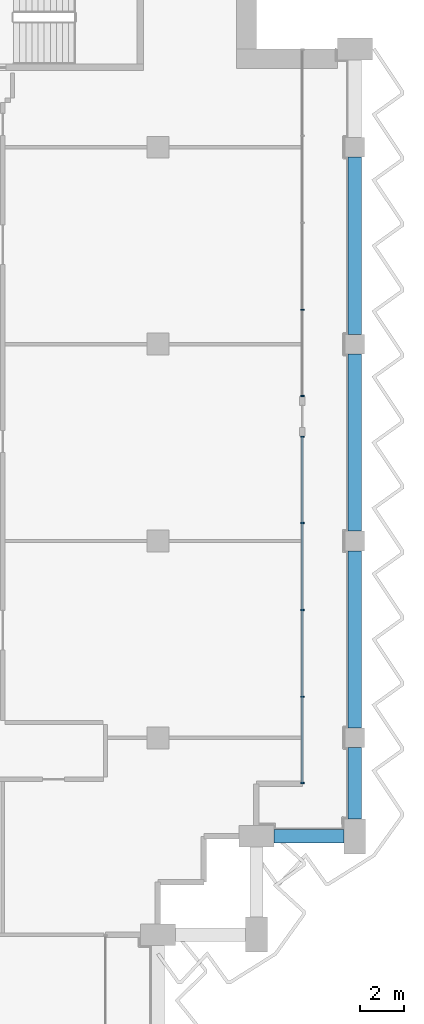
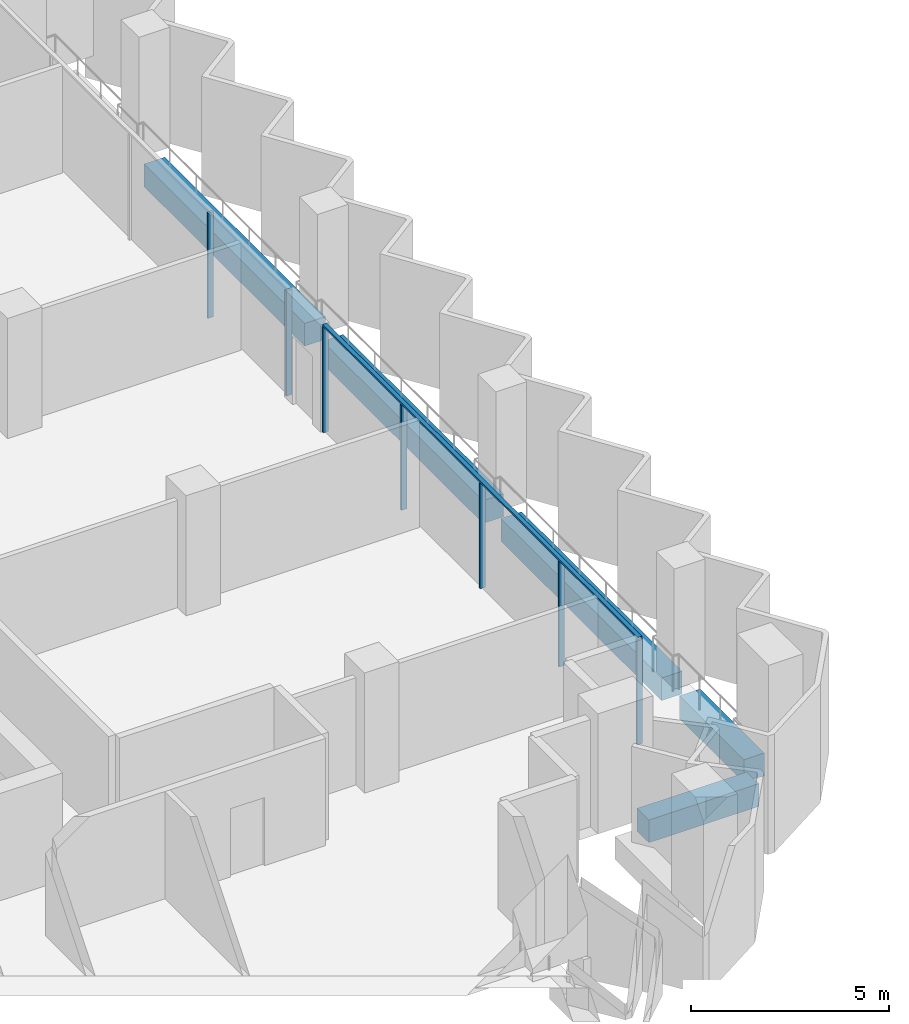
# One storey, part 5 of 17: 8 members, 5 beams, 2 elements without a shape of their own.
"""IFC4 building model written with IfcOpenShell, lengths in metres."""

from ifc_helpers import new_model, si_unit, direction, frame, origin, origin_2d, place, context, subcontext, project, spatial, rectangle, extrude, material, material_profile, profile_set, type_object, element, aggregate, save


model = new_model("IFC4")

# Units and contexts
model_context = context("Model", 3, precision=1e-05, world=origin(), true_north=direction((0.0, 1.0)))
body_context = subcontext(model_context, "Body", "Model", "MODEL_VIEW")
ifc_project = project(units=[si_unit("LENGTHUNIT", "METRE"), si_unit("AREAUNIT", "SQUARE_METRE"), si_unit("VOLUMEUNIT", "CUBIC_METRE"), si_unit("PLANEANGLEUNIT", "RADIAN"), si_unit("MASSUNIT", "GRAM", prefix="KILO")], contexts=[model_context])

# Site, building, storey
site_placement = place(None, origin())
site = spatial("IfcSite", under=ifc_project, at=site_placement, CompositionType="ELEMENT")
building_placement = place(site_placement, origin())
building = spatial("IfcBuilding", under=site, at=building_placement, Name="Hunhe Ridgeline Campus", CompositionType="ELEMENT")
storey_placement = place(building_placement, frame((0.0, 0.0, 268.800048828125)))
storey = spatial("IfcBuildingStorey", under=building, at=storey_placement, Name="L69", CompositionType="ELEMENT", Elevation=268.800048828125)

# Curtain wall, members
ifc_material_1 = material(Name="Aluminium 6063", Category="aluminium")
curtain_wall_type = type_object("IfcCurtainWallType", Name="Curtain wall CW-1", PredefinedType="NOTDEFINED", material=ifc_material_1)
curtain_wall_1_placement = place(storey_placement, origin())
curtain_wall_1 = element("IfcCurtainWall", 1, at=curtain_wall_1_placement, inside=storey, type_object=curtain_wall_type, Name="Curtain wall 12", PredefinedType="NOTDEFINED")
ifc_material_profile_1 = material_profile(ifc_material_1, rectangle(XDim=0.159912109375, YDim=0.06005859375, at=origin_2d()))
ifc_profile_set_1 = profile_set([ifc_material_profile_1], Name="Aluminium 6063")
member_type_1 = type_object("IfcMemberType", Name="CW-1 aluminium mullion", PredefinedType="MULLION", material=ifc_profile_set_1)
member_1_placement = place(storey_placement, frame((51.59912109375, 60.930908203125, 0.0), z_axis=(0.0, 0.0, 1.0), x_axis=(-1.0, 0.0, 0.0)))
member_1 = element("IfcMember", 2, at=member_1_placement, type_object=member_type_1, Name="CW-1 mullion 1", PredefinedType="MULLION", context=body_context, shape_type="SweptSolid", body=[
    extrude(rectangle(XDim=0.159912109375, YDim=0.06005859375, at=origin_2d()), origin(), (0.0, 0.0, 1.0), 3.239990234375),
])
member_2_placement = place(storey_placement, frame((51.59912109375, 64.8759765625, 0.0), z_axis=(0.0, 0.0, 1.0), x_axis=(-1.0, 0.0, 0.0)))
member_2 = element("IfcMember", 3, at=member_2_placement, type_object=member_type_1, Name="CW-1 mullion 2", PredefinedType="MULLION", context=body_context, shape_type="SweptSolid", body=[
    extrude(rectangle(XDim=0.159912109375, YDim=0.06005859375, at=origin_2d()), origin(), (0.0, 0.0, 1.0), 3.239990234375),
])
member_3_placement = place(storey_placement, frame((51.59912109375, 68.850830078125, 0.0), z_axis=(0.0, 0.0, 1.0), x_axis=(-1.0, 0.0, 0.0)))
member_3 = element("IfcMember", 4, at=member_3_placement, type_object=member_type_1, Name="CW-1 mullion 3", PredefinedType="MULLION", context=body_context, shape_type="SweptSolid", body=[
    extrude(rectangle(XDim=0.159912109375, YDim=0.06005859375, at=origin_2d()), origin(), (0.0, 0.0, 1.0), 3.239990234375),
])
member_4_placement = place(storey_placement, frame((51.59912109375, 72.82568359375, 0.0), z_axis=(0.0, 0.0, 1.0), x_axis=(-1.0, 0.0, 0.0)))
member_4 = element("IfcMember", 5, at=member_4_placement, type_object=member_type_1, Name="CW-1 mullion 4", PredefinedType="MULLION", context=body_context, shape_type="SweptSolid", body=[
    extrude(rectangle(XDim=0.159912109375, YDim=0.06005859375, at=origin_2d()), origin(), (0.0, 0.0, 1.0), 3.239990234375),
])
member_5_placement = place(storey_placement, frame((51.59912109375, 76.7705078125, 0.0), z_axis=(0.0, 0.0, 1.0), x_axis=(-1.0, 0.0, 0.0)))
member_5 = element("IfcMember", 6, at=member_5_placement, type_object=member_type_1, Name="CW-1 mullion 5", PredefinedType="MULLION", context=body_context, shape_type="SweptSolid", body=[
    extrude(rectangle(XDim=0.159912109375, YDim=0.06005859375, at=origin_2d()), origin(), (0.0, 0.0, 1.0), 3.239990234375),
])

curtain_wall_2_placement = place(storey_placement, origin())
curtain_wall_2 = element("IfcCurtainWall", 7, at=curtain_wall_2_placement, inside=storey, type_object=curtain_wall_type, Name="Curtain wall 13", PredefinedType="NOTDEFINED")
member_6_placement = place(storey_placement, frame((51.59912109375, 78.630615234375, 0.0), z_axis=(0.0, 0.0, 1.0), x_axis=(-1.0, 0.0, 0.0)))
member_6 = element("IfcMember", 8, at=member_6_placement, type_object=member_type_1, Name="CW-1 mullion 1", PredefinedType="MULLION", context=body_context, shape_type="SweptSolid", body=[
    extrude(rectangle(XDim=0.159912109375, YDim=0.06005859375, at=origin_2d()), origin(), (0.0, 0.0, 1.0), 3.239990234375),
])
member_7_placement = place(storey_placement, frame((51.59912109375, 82.575439453125, 0.0), z_axis=(0.0, 0.0, 1.0), x_axis=(-1.0, 0.0, 0.0)))
member_7 = element("IfcMember", 9, at=member_7_placement, type_object=member_type_1, Name="CW-1 mullion 2", PredefinedType="MULLION", context=body_context, shape_type="SweptSolid", body=[
    extrude(rectangle(XDim=0.159912109375, YDim=0.06005859375, at=origin_2d()), origin(), (0.0, 0.0, 1.0), 3.239990234375),
])
aggregate(curtain_wall_2, [member_6, member_7])

# Member
ifc_material_profile_2 = material_profile(ifc_material_1, rectangle(XDim=0.1201171875, YDim=0.06005859375, at=origin_2d()))
ifc_profile_set_2 = profile_set([ifc_material_profile_2], Name="Aluminium 6063")
member_type_2 = type_object("IfcMemberType", Name="CW-1 aluminium transom", PredefinedType="USERDEFINED", material=ifc_profile_set_2)
member_8_placement = place(storey_placement, frame((51.59912109375, 60.90087890625, 3.27001953125), z_axis=(0.0, 1.0, 0.0), x_axis=(-1.0, 0.0, 0.0)))
member_8 = element("IfcMember", 10, at=member_8_placement, type_object=member_type_2, Name="CW-1 transom 1", ObjectType="TRANSOM", PredefinedType="USERDEFINED", context=body_context, shape_type="SweptSolid", body=[
    extrude(rectangle(XDim=0.1201171875, YDim=0.06005859375, at=origin_2d()), origin(), (0.0, 0.0, 1.0), 15.899658203125),
])

aggregate(curtain_wall_1, [member_8, member_1, member_2, member_3, member_4, member_5])

# Beams
ifc_material_2 = material(Name="Concrete C50", Category="concrete")
ifc_material_profile_3 = material_profile(ifc_material_2, rectangle(XDim=0.60009765625, YDim=0.699951171875, at=origin_2d()))
ifc_profile_set_3 = profile_set([ifc_material_profile_3], Name="Concrete C50")
beam_type = type_object("IfcBeamType", Name="RC spandrel beam 600x700 Concrete C50", PredefinedType="SPANDREL", material=ifc_profile_set_3)
beam_1_placement = place(storey_placement, frame((50.300048828125, 58.5, -0.60009765625), z_axis=(1.0, 0.0, 0.0), x_axis=(0.0, 1.0, 0.0)))
element("IfcBeam", 11, at=beam_1_placement, inside=storey, type_object=beam_type, Name="Spandrel beam B4-12 L69", PredefinedType="SPANDREL", context=body_context, shape_type="SweptSolid", body=[
    extrude(rectangle(XDim=0.60009765625, YDim=0.699951171875, at=origin_2d()), origin(), (0.0, 0.0, 1.0), 3.199951171875),
])
beam_2_placement = place(storey_placement, frame((54.0, 59.300048828125, -0.60009765625), z_axis=(0.0, 1.0, 0.0), x_axis=(-1.0, 0.0, 0.0)))
element("IfcBeam", 12, at=beam_2_placement, inside=storey, type_object=beam_type, Name="Spandrel beam B4-13 L69", PredefinedType="SPANDREL", context=body_context, shape_type="SweptSolid", body=[
    extrude(rectangle(XDim=0.60009765625, YDim=0.699951171875, at=origin_2d()), origin(), (0.0, 0.0, 1.0), 3.25),
])
for number, where, z_axis, x_axis, name in (
    (13, (54.0, 63.449951171875, -0.60009765625), (0.0, 1.0, 0.0), (-1.0, 0.0, 0.0), "Spandrel beam B4-14 L69"),
    (14, (54.0, 72.449951171875, -0.60009765625), (0.0, 1.0, 0.0), (-1.0, 0.0, 0.0), "Spandrel beam B4-15 L69"),
    (15, (54.0, 81.449951171875, -0.60009765625), (0.0, 1.0, 0.0), (-1.0, 0.0, 0.0), "Spandrel beam B4-16 L69"),
):
    element("IfcBeam", number, at=place(storey_placement, frame(where, z_axis=z_axis, x_axis=x_axis)), inside=storey, type_object=beam_type, Name=name, PredefinedType="SPANDREL", context=body_context, shape_type="SweptSolid", body=[
        extrude(rectangle(XDim=0.60009765625, YDim=0.699951171875, at=origin_2d()), origin(), (0.0, 0.0, 1.0), 8.10009765625),
    ])

save(model, "model.ifc")
